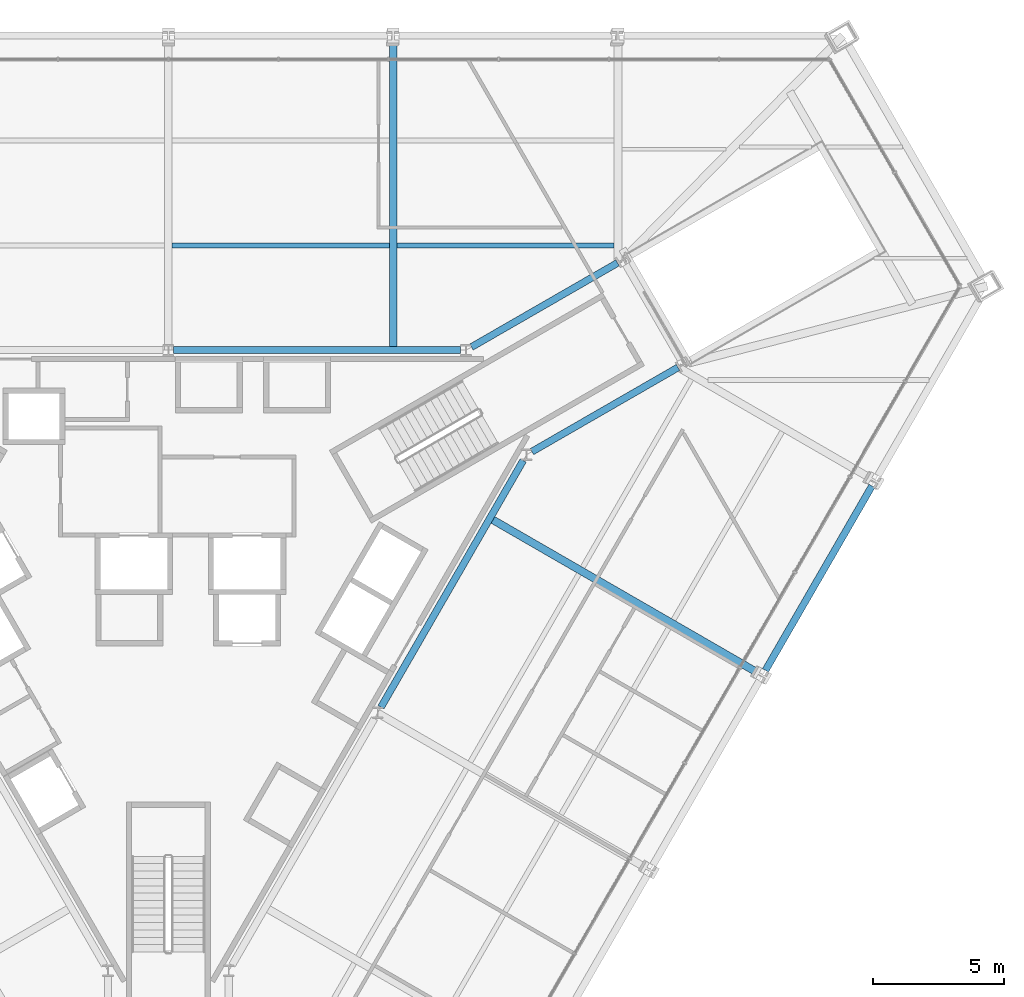
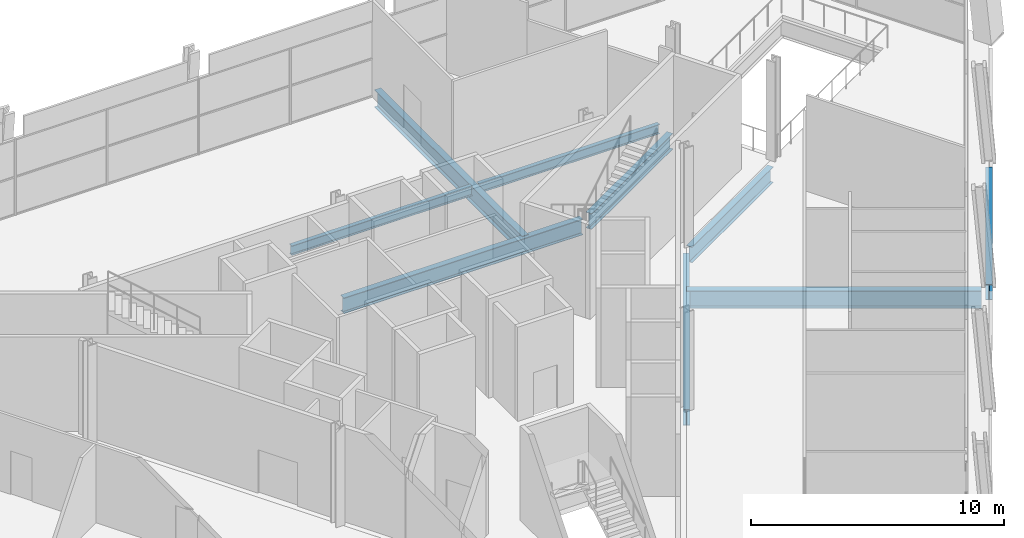
# One storey, part 8 of 18: 9 beams.
"""IFC4 building model written with IfcOpenShell, lengths in metres."""

from ifc_helpers import new_model, si_unit, direction, frame, origin, origin_2d, place, context, subcontext, project, spatial, i_section, extrude, material, material_profile, profile_set, type_object, element, save


model = new_model("IFC4")

# Units and contexts
model_context = context("Model", 3, precision=1e-05, world=origin(), true_north=direction((0.0, 1.0)))
body_context = subcontext(model_context, "Body", "Model", "MODEL_VIEW")
ifc_project = project(units=[si_unit("LENGTHUNIT", "METRE"), si_unit("AREAUNIT", "SQUARE_METRE"), si_unit("VOLUMEUNIT", "CUBIC_METRE"), si_unit("PLANEANGLEUNIT", "RADIAN"), si_unit("MASSUNIT", "GRAM", prefix="KILO")], contexts=[model_context])

# Site, building, storey
site_placement = place(None, origin())
site = spatial("IfcSite", under=ifc_project, at=site_placement, CompositionType="ELEMENT")
building_placement = place(site_placement, origin())
building = spatial("IfcBuilding", under=site, at=building_placement, Name="Verrane Prism Tower", CompositionType="ELEMENT")
storey_placement = place(building_placement, frame((0.0, 0.0, 32.0)))
storey = spatial("IfcBuildingStorey", under=building, at=storey_placement, Name="L05", CompositionType="ELEMENT", Elevation=32.0)

# Beams
ifc_material_1 = material(Name="Steel A992", Category="steel")
ifc_material_profile_1 = material_profile(ifc_material_1, i_section(OverallWidth=0.2666015625, OverallDepth=0.76708984375, WebThickness=0.014892578125, FlangeThickness=0.023681640625, FilletRadius=0.0166015625, at=origin_2d()), Name="W30x124")
ifc_profile_set_1 = profile_set([ifc_material_profile_1], Name="Steel A992")
beam_type_1 = type_object("IfcBeamType", Name="Core ring girder W30x124", PredefinedType="BEAM", material=ifc_profile_set_1)
for number, where, z_axis, x_axis, name in (
    (1, (13.835693359375, 5.338623046875, -0.633544921875), (0.866455356291, 0.499254559873, 0.0), (-0.499254559873, 0.866455356291, 0.0), "Core ring girder L05"),
    (2, (17.09423828125, 12.521484375, -0.633544921875), (-0.866455356291, -0.499254559873, 0.0), (0.499254559873, -0.866455356291, 0.0), "Core ring girder L05"),
):
    element("IfcBeam", number, at=place(storey_placement, frame(where, z_axis=z_axis, x_axis=x_axis)), inside=storey, type_object=beam_type_1, Name=name, PredefinedType="BEAM", context=body_context, shape_type="SweptSolid", body=[
        extrude(i_section(OverallWidth=0.2666015625, OverallDepth=0.76708984375, WebThickness=0.014892578125, FlangeThickness=0.023681640625, FilletRadius=0.0166015625, at=origin_2d()), origin(), (0.0, 0.0, 1.0), 6.415283203125),
    ])
beam_1_placement = place(storey_placement, frame((11.124267578125, 9.199951171875, -0.633544921875), z_axis=(-1.0, 0.0, 0.0), x_axis=(0.0, -1.0, 0.0)))
element("IfcBeam", 3, at=beam_1_placement, inside=storey, type_object=beam_type_1, Name="Core ring girder L05", PredefinedType="BEAM", context=body_context, shape_type="SweptSolid", body=[
    extrude(i_section(OverallWidth=0.2666015625, OverallDepth=0.76708984375, WebThickness=0.014892578125, FlangeThickness=0.023681640625, FilletRadius=0.0166015625, at=origin_2d()), origin(), (0.0, 0.0, 1.0), 10.91845703125),
])
beam_2_placement = place(storey_placement, frame((8.09521484375, -4.3828125, -0.633544921875), z_axis=(0.499373178085, 0.866386997253, 0.0), x_axis=(-0.866386997253, 0.499373178085, 0.0)))
element("IfcBeam", 4, at=beam_2_placement, inside=storey, type_object=beam_type_1, Name="Core ring girder L05", PredefinedType="BEAM", context=body_context, shape_type="SweptSolid", body=[
    extrude(i_section(OverallWidth=0.2666015625, OverallDepth=0.76708984375, WebThickness=0.014892578125, FlangeThickness=0.023681640625, FilletRadius=0.0166015625, at=origin_2d()), origin(), (0.0, 0.0, 1.0), 10.8330078125),
])
ifc_material_2 = material(Name="Steel A992", Category="steel")
ifc_material_profile_2 = material_profile(ifc_material_2, i_section(OverallWidth=0.1904296875, OverallDepth=0.457275390625, WebThickness=0.009033203125, FlangeThickness=0.014404296875, FilletRadius=0.01025390625, at=origin_2d()), Name="W18x50")
ifc_profile_set_2 = profile_set([ifc_material_profile_2], Name="Steel A992")
beam_type_2 = type_object("IfcBeamType", Name="Floor beam W18x50", PredefinedType="BEAM", material=ifc_profile_set_2)
beam_3_placement = place(storey_placement, frame((8.7060546875, 13.18994140625, -0.388671875), z_axis=(1.0, 0.0, 0.0), x_axis=(0.0, 1.0, 0.0)))
element("IfcBeam", 5, at=beam_3_placement, inside=storey, type_object=beam_type_2, Name="Floor beam L05", PredefinedType="BEAM", context=body_context, shape_type="SweptSolid", body=[
    extrude(i_section(OverallWidth=0.1904296875, OverallDepth=0.457275390625, WebThickness=0.009033203125, FlangeThickness=0.014404296875, FilletRadius=0.01025390625, at=origin_2d()), origin(), (0.0, 0.0, 1.0), 8.258056640625),
])
beam_4_placement = place(storey_placement, frame((0.14599609375, 13.18994140625, -0.388671875), z_axis=(1.0, 0.0, 0.0), x_axis=(0.0, 1.0, 0.0)))
element("IfcBeam", 6, at=beam_4_placement, inside=storey, type_object=beam_type_2, Name="Floor beam L05", PredefinedType="BEAM", context=body_context, shape_type="SweptSolid", body=[
    extrude(i_section(OverallWidth=0.1904296875, OverallDepth=0.457275390625, WebThickness=0.009033203125, FlangeThickness=0.014404296875, FilletRadius=0.01025390625, at=origin_2d()), origin(), (0.0, 0.0, 1.0), 8.26806640625),
])
ifc_material_3 = material(Name="Steel A992", Category="steel")
ifc_material_profile_3 = material_profile(ifc_material_3, i_section(OverallWidth=0.2919921875, OverallDepth=0.845703125, WebThickness=0.015380859375, FlangeThickness=0.0244140625, FilletRadius=0.017822265625, at=origin_2d()), Name="W33x141")
ifc_profile_set_3 = profile_set([ifc_material_profile_3], Name="Steel A992")
beam_type_3 = type_object("IfcBeamType", Name="Radial girder W33x141", PredefinedType="BEAM", material=ifc_profile_set_3)
beam_5_placement = place(storey_placement, frame((8.56005859375, 20.885498046875, -0.642822265625), z_axis=(0.0, -1.0, 0.0), x_axis=(1.0, 0.0, 0.0)))
element("IfcBeam", 7, at=beam_5_placement, inside=storey, type_object=beam_type_3, Name="Radial girder L05", PredefinedType="BEAM", context=body_context, shape_type="SweptSolid", body=[
    extrude(i_section(OverallWidth=0.2919921875, OverallDepth=0.845703125, WebThickness=0.015380859375, FlangeThickness=0.0244140625, FilletRadius=0.017822265625, at=origin_2d()), origin(), (0.0, 0.0, 1.0), 11.685546875),
])
beam_6_placement = place(storey_placement, frame((22.363525390625, -3.037841796875, -0.642822265625), z_axis=(-0.86602143351, 0.500006876654, 0.0), x_axis=(-0.500006876654, -0.86602143351, 0.0)))
element("IfcBeam", 8, at=beam_6_placement, inside=storey, type_object=beam_type_3, Name="Radial girder L05", PredefinedType="BEAM", context=body_context, shape_type="SweptSolid", body=[
    extrude(i_section(OverallWidth=0.2919921875, OverallDepth=0.845703125, WebThickness=0.015380859375, FlangeThickness=0.0244140625, FilletRadius=0.017822265625, at=origin_2d()), origin(), (0.0, 0.0, 1.0), 11.690185546875),
])
ifc_material_4 = material(Name="Steel A992", Category="steel")
ifc_material_profile_4 = material_profile(ifc_material_4, i_section(OverallWidth=0.2666015625, OverallDepth=0.76708984375, WebThickness=0.014892578125, FlangeThickness=0.023681640625, FilletRadius=0.0166015625, at=origin_2d()), Name="W30x124")
ifc_profile_set_4 = profile_set([ifc_material_profile_4], Name="Steel A992")
beam_type_4 = type_object("IfcBeamType", Name="Spandrel beam W30x124", PredefinedType="SPANDREL", material=ifc_profile_set_4)
beam_7_placement = place(storey_placement, frame((22.7236328125, -2.983154296875, -0.54345703125), z_axis=(0.500170167531, 0.865927135221, 0.0), x_axis=(-0.865927135221, 0.500170167531, 0.0)))
element("IfcBeam", 9, at=beam_7_placement, inside=storey, type_object=beam_type_4, Name="Spandrel beam L05", PredefinedType="SPANDREL", context=body_context, shape_type="SweptSolid", body=[
    extrude(i_section(OverallWidth=0.2666015625, OverallDepth=0.76708984375, WebThickness=0.014892578125, FlangeThickness=0.023681640625, FilletRadius=0.0166015625, at=origin_2d()), origin(), (0.0, 0.0, 1.0), 8.102783203125),
])

save(model, "model.ifc")
